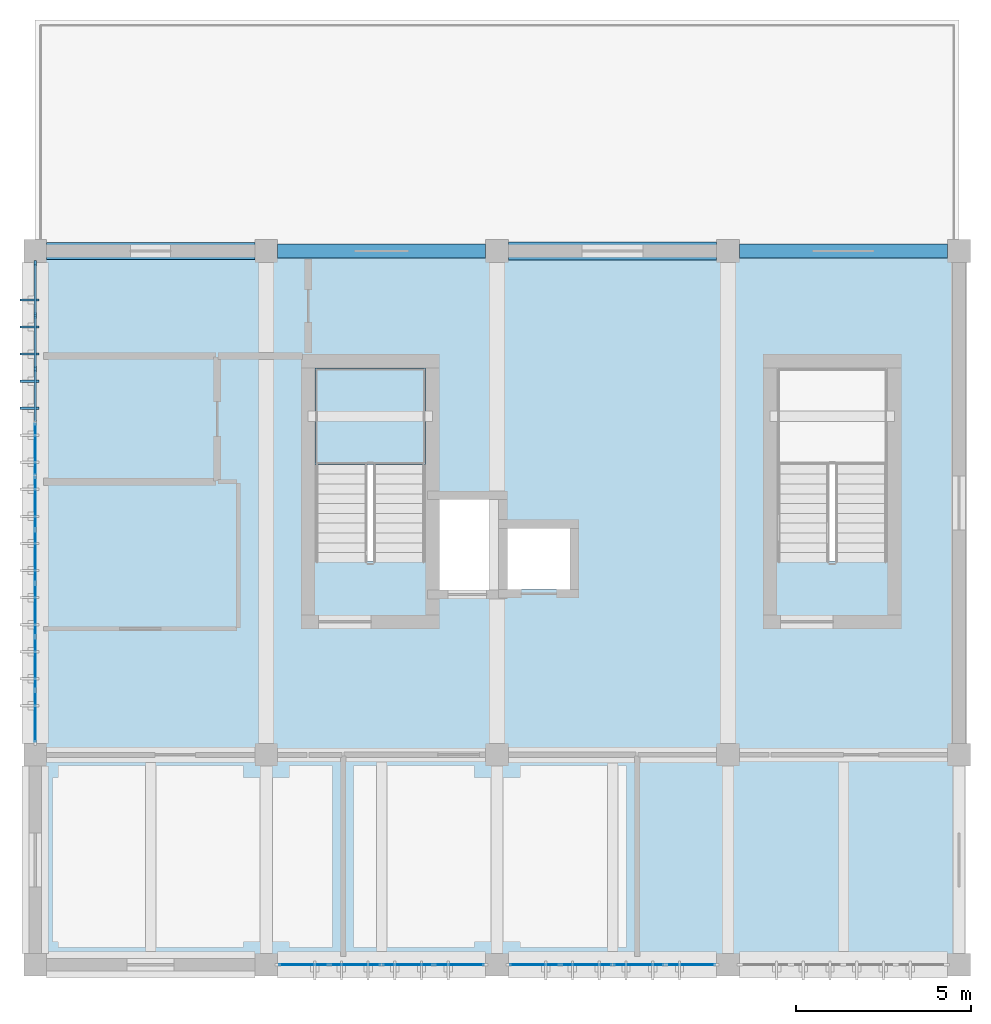
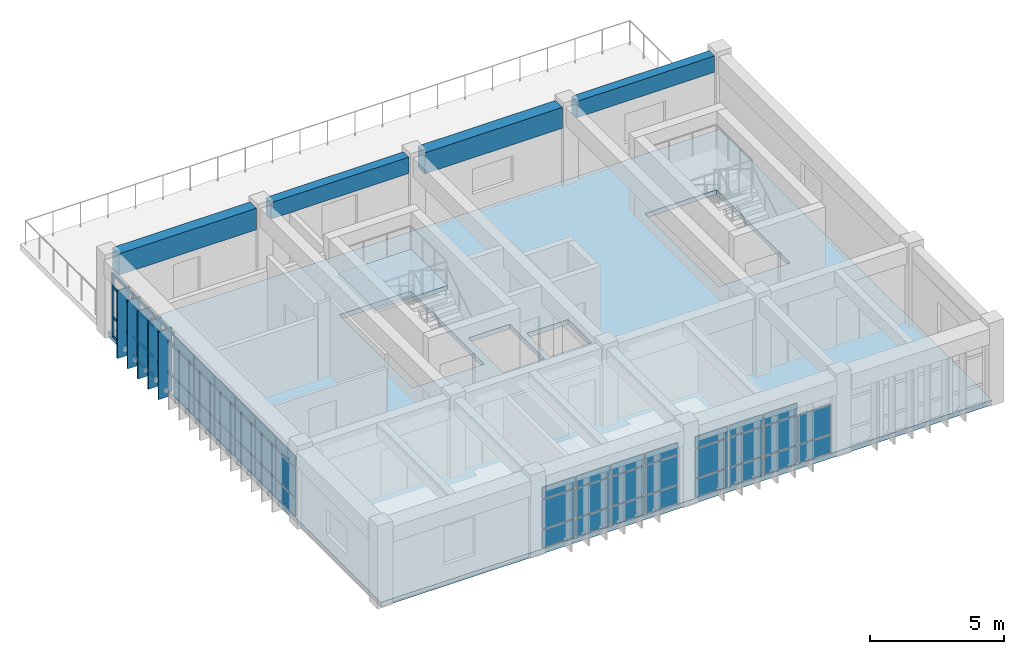
# One storey, part 3 of 8: 41 plates, 19 members, 4 beams, 2 slabs, 4 elements without a shape of their own.
"""IFC4 building model written with IfcOpenShell, lengths in metres."""

from ifc_helpers import new_model, si_unit, direction, frame, origin, origin_2d, place, context, subcontext, project, spatial, polyline, rectangle, outline, extrude, material, layer, layer_set, material_profile, profile_set, type_object, element, aggregate, save


model = new_model("IFC4")

# Units and contexts
model_context = context("Model", 3, precision=1e-05, world=origin(), true_north=direction((0.0, 1.0)))
body_context = subcontext(model_context, "Body", "Model", "MODEL_VIEW")
ifc_project = project(units=[si_unit("LENGTHUNIT", "METRE"), si_unit("AREAUNIT", "SQUARE_METRE"), si_unit("VOLUMEUNIT", "CUBIC_METRE"), si_unit("PLANEANGLEUNIT", "RADIAN"), si_unit("MASSUNIT", "GRAM", prefix="KILO")], contexts=[model_context])

# Site, building, storey
site_placement = place(None, origin())
site = spatial("IfcSite", under=ifc_project, at=site_placement, CompositionType="ELEMENT")
building_placement = place(site_placement, origin())
building = spatial("IfcBuilding", under=site, at=building_placement, Name="Miralva Faculty of Natural Sciences", CompositionType="ELEMENT")
storey_placement = place(building_placement, frame((0.0, 0.0, 36.800048828125)))
storey = spatial("IfcBuildingStorey", under=building, at=storey_placement, Name="L08", CompositionType="ELEMENT", Elevation=36.800048828125)

# Beams
ifc_material_1 = material(Name="Concrete C40/50", Category="concrete")
ifc_material_profile_1 = material_profile(ifc_material_1, rectangle(XDim=0.39990234375, YDim=0.75, at=origin_2d()), Name="RC 400x750")
ifc_profile_set_1 = profile_set([ifc_material_profile_1], Name="Concrete C40/50")
beam_type_1 = type_object("IfcBeamType", Name="BM-B03", PredefinedType="BEAM", material=ifc_profile_set_1)
for number, where, z_axis, x_axis, name in (
    (1, (9.925048828125, 23.39990234375, 3.204833984375), (1.0, 0.0, 0.0), (0.0, 1.0, 0.0), "Girder EW L08-10"),
    (2, (23.125, 23.39990234375, 3.204833984375), (1.0, 0.0, 0.0), (0.0, 1.0, 0.0), "Girder EW L08-12"),
):
    element("IfcBeam", number, at=place(storey_placement, frame(where, z_axis=z_axis, x_axis=x_axis)), inside=storey, type_object=beam_type_1, Name=name, PredefinedType="BEAM", context=body_context, shape_type="SweptSolid", body=[
        extrude(rectangle(XDim=0.39990234375, YDim=0.75, at=origin_2d()), origin(), (0.0, 0.0, 1.0), 5.949951171875),
    ])
ifc_material_profile_2 = material_profile(ifc_material_1, rectangle(XDim=0.47998046875, YDim=0.97998046875, at=origin_2d()), Name="RC 480x980")
ifc_profile_set_2 = profile_set([ifc_material_profile_2], Name="Concrete C40/50")
beam_type_2 = type_object("IfcBeamType", Name="BM-BG18", PredefinedType="BEAM", material=ifc_profile_set_2)
beam_1_placement = place(storey_placement, frame((3.324951171875, 23.39990234375, 3.08984375), z_axis=(1.0, 0.0, 0.0), x_axis=(0.0, 1.0, 0.0)))
element("IfcBeam", 3, at=beam_1_placement, inside=storey, type_object=beam_type_2, Name="Girder EW L08-9", PredefinedType="BEAM", context=body_context, shape_type="SweptSolid", body=[
    extrude(rectangle(XDim=0.47998046875, YDim=0.97998046875, at=origin_2d()), origin(), (0.0, 0.0, 1.0), 5.949951171875),
])
ifc_material_profile_3 = material_profile(ifc_material_1, rectangle(XDim=0.52001953125, YDim=0.9599609375, at=origin_2d()), Name="RC 520x960")
ifc_profile_set_3 = profile_set([ifc_material_profile_3], Name="Concrete C40/50")
beam_type_3 = type_object("IfcBeamType", Name="BM-BG20", PredefinedType="BEAM", material=ifc_profile_set_3)
beam_2_placement = place(storey_placement, frame((16.52490234375, 23.39990234375, 3.099853515625), z_axis=(1.0, 0.0, 0.0), x_axis=(0.0, 1.0, 0.0)))
element("IfcBeam", 4, at=beam_2_placement, inside=storey, type_object=beam_type_3, Name="Girder EW L08-11", PredefinedType="BEAM", context=body_context, shape_type="SweptSolid", body=[
    extrude(rectangle(XDim=0.52001953125, YDim=0.9599609375, at=origin_2d()), origin(), (0.0, 0.0, 1.0), 5.9501953125),
])

# Curtain wall, members
ifc_material_2 = material(Name="Laminated solar-control glass", Category="glass")
ifc_layer_1 = layer(ifc_material_2, 0.179931640625, Name="CW-TWR-L07")
ifc_layer_set_1 = layer_set([ifc_layer_1], Name="Laminated solar-control glass")
curtain_wall_type = type_object("IfcCurtainWallType", Name="CW-TWR-L07", PredefinedType="USERDEFINED", material=ifc_layer_set_1)
curtain_wall_1_placement = place(storey_placement, origin())
curtain_wall_1 = element("IfcCurtainWall", 5, at=curtain_wall_1_placement, inside=storey, type_object=curtain_wall_type, Name="Curtain wall CW-15 L08-250", ObjectType="UNITISED CURTAIN WALL", PredefinedType="USERDEFINED")
ifc_material_3 = material(Name="Anodised aluminium", Category="aluminium")
ifc_material_profile_4 = material_profile(ifc_material_3, rectangle(XDim=0.06494140625, YDim=0.159912109375, at=origin_2d()), Name="MULLION 65x160")
ifc_profile_set_4 = profile_set([ifc_material_profile_4], Name="Anodised aluminium")
member_type_1 = type_object("IfcMemberType", Name="CW-M02", PredefinedType="MULLION", material=ifc_profile_set_4)
member_1_placement = place(storey_placement, frame((3.0, 20.02490234375, 0.0), z_axis=(0.0, 0.0, 1.0), x_axis=(-1.0, 0.0, 0.0)))
member_1 = element("IfcMember", 6, at=member_1_placement, type_object=member_type_1, Name="CW-15 mullion 8", PredefinedType="MULLION", context=body_context, shape_type="SweptSolid", body=[
    extrude(rectangle(XDim=0.06494140625, YDim=0.159912109375, at=origin_2d()), origin(), (0.0, 0.0, 1.0), 2.875),
])
member_2_placement = place(storey_placement, frame((3.0, 21.554931640625, 0.0), z_axis=(0.0, 0.0, 1.0), x_axis=(-1.0, 0.0, 0.0)))
member_2 = element("IfcMember", 7, at=member_2_placement, type_object=member_type_1, Name="CW-15 mullion 9", PredefinedType="MULLION", context=body_context, shape_type="SweptSolid", body=[
    extrude(rectangle(XDim=0.06494140625, YDim=0.159912109375, at=origin_2d()), origin(), (0.0, 0.0, 1.0), 2.875),
])
member_3_placement = place(storey_placement, frame((3.0, 23.052490234375, 0.0), z_axis=(0.0, 0.0, 1.0), x_axis=(-1.0, 0.0, 0.0)))
member_3 = element("IfcMember", 8, at=member_3_placement, type_object=member_type_1, Name="CW-15 mullion 10", PredefinedType="MULLION", context=body_context, shape_type="SweptSolid", body=[
    extrude(rectangle(XDim=0.06494140625, YDim=0.159912109375, at=origin_2d()), origin(), (0.0, 0.0, 1.0), 2.875),
])
ifc_material_profile_5 = material_profile(ifc_material_3, rectangle(XDim=0.06005859375, YDim=0.1201171875, at=origin_2d()), Name="TRANSOM 60x120")
ifc_profile_set_5 = profile_set([ifc_material_profile_5], Name="Anodised aluminium")
member_type_2 = type_object("IfcMemberType", Name="CW-T02", PredefinedType="USERDEFINED", material=ifc_profile_set_5)
member_4_placement = place(storey_placement, frame((3.0, 18.527587890625, 0.89990234375), z_axis=(0.0, 1.0, 0.0), x_axis=(-1.0, 0.0, 0.0)))
member_4 = element("IfcMember", 9, at=member_4_placement, type_object=member_type_2, Name="CW-15 transom 7.2", ObjectType="TRANSOM", PredefinedType="USERDEFINED", context=body_context, shape_type="SweptSolid", body=[
    extrude(rectangle(XDim=0.06005859375, YDim=0.1201171875, at=origin_2d()), origin(), (0.0, 0.0, 1.0), 1.46484375),
])
member_5_placement = place(storey_placement, frame((3.0, 18.527587890625, 2.27490234375), z_axis=(0.0, 1.0, 0.0), x_axis=(-1.0, 0.0, 0.0)))
member_5 = element("IfcMember", 10, at=member_5_placement, type_object=member_type_2, Name="CW-15 transom 7.3", ObjectType="TRANSOM", PredefinedType="USERDEFINED", context=body_context, shape_type="SweptSolid", body=[
    extrude(rectangle(XDim=0.06005859375, YDim=0.1201171875, at=origin_2d()), origin(), (0.0, 0.0, 1.0), 1.46484375),
])
member_6_placement = place(storey_placement, frame((3.0, 18.527587890625, 2.844970703125), z_axis=(0.0, 1.0, 0.0), x_axis=(-1.0, 0.0, 0.0)))
member_6 = element("IfcMember", 11, at=member_6_placement, type_object=member_type_2, Name="CW-15 transom 7.4", ObjectType="TRANSOM", PredefinedType="USERDEFINED", context=body_context, shape_type="SweptSolid", body=[
    extrude(rectangle(XDim=0.06005859375, YDim=0.1201171875, at=origin_2d()), origin(), (0.0, 0.0, 1.0), 1.46484375),
])
member_7_placement = place(storey_placement, frame((3.0, 20.0576171875, 0.030029296875), z_axis=(0.0, 1.0, 0.0), x_axis=(-1.0, 0.0, 0.0)))
member_7 = element("IfcMember", 12, at=member_7_placement, type_object=member_type_2, Name="CW-15 transom 8.1", ObjectType="TRANSOM", PredefinedType="USERDEFINED", context=body_context, shape_type="SweptSolid", body=[
    extrude(rectangle(XDim=0.06005859375, YDim=0.1201171875, at=origin_2d()), origin(), (0.0, 0.0, 1.0), 1.46484375),
])
member_8_placement = place(storey_placement, frame((3.0, 20.0576171875, 0.89990234375), z_axis=(0.0, 1.0, 0.0), x_axis=(-1.0, 0.0, 0.0)))
member_8 = element("IfcMember", 13, at=member_8_placement, type_object=member_type_2, Name="CW-15 transom 8.2", ObjectType="TRANSOM", PredefinedType="USERDEFINED", context=body_context, shape_type="SweptSolid", body=[
    extrude(rectangle(XDim=0.06005859375, YDim=0.1201171875, at=origin_2d()), origin(), (0.0, 0.0, 1.0), 1.46484375),
])
member_9_placement = place(storey_placement, frame((3.0, 20.0576171875, 2.27490234375), z_axis=(0.0, 1.0, 0.0), x_axis=(-1.0, 0.0, 0.0)))
member_9 = element("IfcMember", 14, at=member_9_placement, type_object=member_type_2, Name="CW-15 transom 8.3", ObjectType="TRANSOM", PredefinedType="USERDEFINED", context=body_context, shape_type="SweptSolid", body=[
    extrude(rectangle(XDim=0.06005859375, YDim=0.1201171875, at=origin_2d()), origin(), (0.0, 0.0, 1.0), 1.46484375),
])
member_10_placement = place(storey_placement, frame((3.0, 20.0576171875, 2.844970703125), z_axis=(0.0, 1.0, 0.0), x_axis=(-1.0, 0.0, 0.0)))
member_10 = element("IfcMember", 15, at=member_10_placement, type_object=member_type_2, Name="CW-15 transom 8.4", ObjectType="TRANSOM", PredefinedType="USERDEFINED", context=body_context, shape_type="SweptSolid", body=[
    extrude(rectangle(XDim=0.06005859375, YDim=0.1201171875, at=origin_2d()), origin(), (0.0, 0.0, 1.0), 1.46484375),
])
member_11_placement = place(storey_placement, frame((3.0, 21.58740234375, 0.030029296875), z_axis=(0.0, 1.0, 0.0), x_axis=(-1.0, 0.0, 0.0)))
member_11 = element("IfcMember", 16, at=member_11_placement, type_object=member_type_2, Name="CW-15 transom 9.1", ObjectType="TRANSOM", PredefinedType="USERDEFINED", context=body_context, shape_type="SweptSolid", body=[
    extrude(rectangle(XDim=0.06005859375, YDim=0.1201171875, at=origin_2d()), origin(), (0.0, 0.0, 1.0), 1.4326171875),
])
member_12_placement = place(storey_placement, frame((3.0, 21.58740234375, 0.89990234375), z_axis=(0.0, 1.0, 0.0), x_axis=(-1.0, 0.0, 0.0)))
member_12 = element("IfcMember", 17, at=member_12_placement, type_object=member_type_2, Name="CW-15 transom 9.2", ObjectType="TRANSOM", PredefinedType="USERDEFINED", context=body_context, shape_type="SweptSolid", body=[
    extrude(rectangle(XDim=0.06005859375, YDim=0.1201171875, at=origin_2d()), origin(), (0.0, 0.0, 1.0), 1.4326171875),
])
member_13_placement = place(storey_placement, frame((3.0, 21.58740234375, 2.27490234375), z_axis=(0.0, 1.0, 0.0), x_axis=(-1.0, 0.0, 0.0)))
member_13 = element("IfcMember", 18, at=member_13_placement, type_object=member_type_2, Name="CW-15 transom 9.3", ObjectType="TRANSOM", PredefinedType="USERDEFINED", context=body_context, shape_type="SweptSolid", body=[
    extrude(rectangle(XDim=0.06005859375, YDim=0.1201171875, at=origin_2d()), origin(), (0.0, 0.0, 1.0), 1.4326171875),
])
member_14_placement = place(storey_placement, frame((3.0, 21.58740234375, 2.844970703125), z_axis=(0.0, 1.0, 0.0), x_axis=(-1.0, 0.0, 0.0)))
member_14 = element("IfcMember", 19, at=member_14_placement, type_object=member_type_2, Name="CW-15 transom 9.4", ObjectType="TRANSOM", PredefinedType="USERDEFINED", context=body_context, shape_type="SweptSolid", body=[
    extrude(rectangle(XDim=0.06005859375, YDim=0.1201171875, at=origin_2d()), origin(), (0.0, 0.0, 1.0), 1.4326171875),
])

# Members
ifc_material_profile_6 = material_profile(ifc_material_3, rectangle(XDim=0.06494140625, YDim=0.550048828125, at=origin_2d()), Name="FIN 550x65")
ifc_profile_set_6 = profile_set([ifc_material_profile_6], Name="Anodised aluminium")
member_type_3 = type_object("IfcMemberType", Name="MEM-SF03", PredefinedType="USERDEFINED", material=ifc_profile_set_6)
for number, where, z_axis, x_axis, name in (
    (20, (2.840087890625, 18.906005859375, -0.219970703125), (0.0, 0.0, 1.0), (0.0, -1.0, 0.0), "Solar shading fin SF-03 L08-463"),
    (21, (2.840087890625, 19.67919921875, -0.219970703125), (0.0, 0.0, 1.0), (0.0, -1.0, 0.0), "Solar shading fin SF-03 L08-464"),
    (22, (2.840087890625, 20.4521484375, -0.219970703125), (0.0, 0.0, 1.0), (0.0, -1.0, 0.0), "Solar shading fin SF-03 L08-465"),
    (23, (2.840087890625, 21.225341796875, -0.219970703125), (0.0, 0.0, 1.0), (0.0, -1.0, 0.0), "Solar shading fin SF-03 L08-466"),
    (24, (2.840087890625, 21.998291015625, -0.219970703125), (0.0, 0.0, 1.0), (0.0, -1.0, 0.0), "Solar shading fin SF-03 L08-467"),
):
    element("IfcMember", number, at=place(storey_placement, frame(where, z_axis=z_axis, x_axis=x_axis)), inside=storey, type_object=member_type_3, Name=name, ObjectType="SUNSHADE", PredefinedType="USERDEFINED", context=body_context, shape_type="SweptSolid", body=[
        extrude(rectangle(XDim=0.06494140625, YDim=0.550048828125, at=origin_2d()), origin(), (0.0, 0.0, 1.0), 3.094970703125),
    ])

# Curtain wall, plates
curtain_wall_2_placement = place(storey_placement, origin())
curtain_wall_2 = element("IfcCurtainWall", 25, at=curtain_wall_2_placement, inside=storey, type_object=curtain_wall_type, Name="Curtain wall CW-15 L08-247", ObjectType="UNITISED CURTAIN WALL", PredefinedType="USERDEFINED")
ifc_layer_2 = layer(ifc_material_2, 0.028076171875, Name="PNL-P01")
ifc_layer_set_2 = layer_set([ifc_layer_2], Name="Laminated solar-control glass")
plate_type = type_object("IfcPlateType", Name="PNL-P01", PredefinedType="CURTAIN_PANEL", material=ifc_layer_set_2)
plate_1_placement = place(storey_placement, frame((10.668701171875, 3.0, 0.059814453125), z_axis=(0.0, 0.0, 1.0), x_axis=(1.0, 0.0, 0.0)))
plate_1 = element("IfcPlate", 26, at=plate_1_placement, type_object=plate_type, Name="CW-15 panel 1.1", PredefinedType="CURTAIN_PANEL", context=body_context, shape_type="SweptSolid", body=[
    extrude(rectangle(XDim=1.3974609375, YDim=0.028076171875, at=origin_2d()), origin(), (0.0, 0.0, 1.0), 0.81005859375),
])
plate_2_placement = place(storey_placement, frame((10.668701171875, 3.0, 0.929931640625), z_axis=(0.0, 0.0, 1.0), x_axis=(1.0, 0.0, 0.0)))
plate_2 = element("IfcPlate", 27, at=plate_2_placement, type_object=plate_type, Name="CW-15 panel 1.2", PredefinedType="CURTAIN_PANEL", context=body_context, shape_type="SweptSolid", body=[
    extrude(rectangle(XDim=1.3974609375, YDim=0.028076171875, at=origin_2d()), origin(), (0.0, 0.0, 1.0), 1.31494140625),
])
plate_3_placement = place(storey_placement, frame((10.668701171875, 3.0, 2.30517578125), z_axis=(0.0, 0.0, 1.0), x_axis=(1.0, 0.0, 0.0)))
plate_3 = element("IfcPlate", 28, at=plate_3_placement, type_object=plate_type, Name="CW-15 panel 1.3", PredefinedType="CURTAIN_PANEL", context=body_context, shape_type="SweptSolid", body=[
    extrude(rectangle(XDim=1.3974609375, YDim=0.028076171875, at=origin_2d()), origin(), (0.0, 0.0, 1.0), 0.510009765625),
])
plate_4_placement = place(storey_placement, frame((12.1474609375, 3.0, 0.059814453125), z_axis=(0.0, 0.0, 1.0), x_axis=(1.0, 0.0, 0.0)))
plate_4 = element("IfcPlate", 29, at=plate_4_placement, type_object=plate_type, Name="CW-15 panel 2.1", PredefinedType="CURTAIN_PANEL", context=body_context, shape_type="SweptSolid", body=[
    extrude(rectangle(XDim=1.429931640625, YDim=0.028076171875, at=origin_2d()), origin(), (0.0, 0.0, 1.0), 0.81005859375),
])
plate_5_placement = place(storey_placement, frame((12.1474609375, 3.0, 0.929931640625), z_axis=(0.0, 0.0, 1.0), x_axis=(1.0, 0.0, 0.0)))
plate_5 = element("IfcPlate", 30, at=plate_5_placement, type_object=plate_type, Name="CW-15 panel 2.2", PredefinedType="CURTAIN_PANEL", context=body_context, shape_type="SweptSolid", body=[
    extrude(rectangle(XDim=1.429931640625, YDim=0.028076171875, at=origin_2d()), origin(), (0.0, 0.0, 1.0), 1.31494140625),
])
plate_6_placement = place(storey_placement, frame((12.1474609375, 3.0, 2.30517578125), z_axis=(0.0, 0.0, 1.0), x_axis=(1.0, 0.0, 0.0)))
plate_6 = element("IfcPlate", 31, at=plate_6_placement, type_object=plate_type, Name="CW-15 panel 2.3", PredefinedType="CURTAIN_PANEL", context=body_context, shape_type="SweptSolid", body=[
    extrude(rectangle(XDim=1.429931640625, YDim=0.028076171875, at=origin_2d()), origin(), (0.0, 0.0, 1.0), 0.510009765625),
])
plate_7_placement = place(storey_placement, frame((13.642578125, 3.0, 0.059814453125), z_axis=(0.0, 0.0, 1.0), x_axis=(1.0, 0.0, 0.0)))
plate_7 = element("IfcPlate", 32, at=plate_7_placement, type_object=plate_type, Name="CW-15 panel 3.1", PredefinedType="CURTAIN_PANEL", context=body_context, shape_type="SweptSolid", body=[
    extrude(rectangle(XDim=1.429931640625, YDim=0.028076171875, at=origin_2d()), origin(), (0.0, 0.0, 1.0), 0.81005859375),
])
plate_8_placement = place(storey_placement, frame((13.642578125, 3.0, 0.929931640625), z_axis=(0.0, 0.0, 1.0), x_axis=(1.0, 0.0, 0.0)))
plate_8 = element("IfcPlate", 33, at=plate_8_placement, type_object=plate_type, Name="CW-15 panel 3.2", PredefinedType="CURTAIN_PANEL", context=body_context, shape_type="SweptSolid", body=[
    extrude(rectangle(XDim=1.429931640625, YDim=0.028076171875, at=origin_2d()), origin(), (0.0, 0.0, 1.0), 1.31494140625),
])
plate_9_placement = place(storey_placement, frame((13.642578125, 3.0, 2.30517578125), z_axis=(0.0, 0.0, 1.0), x_axis=(1.0, 0.0, 0.0)))
plate_9 = element("IfcPlate", 34, at=plate_9_placement, type_object=plate_type, Name="CW-15 panel 3.3", PredefinedType="CURTAIN_PANEL", context=body_context, shape_type="SweptSolid", body=[
    extrude(rectangle(XDim=1.429931640625, YDim=0.028076171875, at=origin_2d()), origin(), (0.0, 0.0, 1.0), 0.510009765625),
])
plate_10_placement = place(storey_placement, frame((15.121337890625, 3.0, 0.059814453125), z_axis=(0.0, 0.0, 1.0), x_axis=(1.0, 0.0, 0.0)))
plate_10 = element("IfcPlate", 35, at=plate_10_placement, type_object=plate_type, Name="CW-15 panel 4.1", PredefinedType="CURTAIN_PANEL", context=body_context, shape_type="SweptSolid", body=[
    extrude(rectangle(XDim=1.3974609375, YDim=0.028076171875, at=origin_2d()), origin(), (0.0, 0.0, 1.0), 0.81005859375),
])
plate_11_placement = place(storey_placement, frame((15.121337890625, 3.0, 0.929931640625), z_axis=(0.0, 0.0, 1.0), x_axis=(1.0, 0.0, 0.0)))
plate_11 = element("IfcPlate", 36, at=plate_11_placement, type_object=plate_type, Name="CW-15 panel 4.2", PredefinedType="CURTAIN_PANEL", context=body_context, shape_type="SweptSolid", body=[
    extrude(rectangle(XDim=1.3974609375, YDim=0.028076171875, at=origin_2d()), origin(), (0.0, 0.0, 1.0), 1.31494140625),
])
plate_12_placement = place(storey_placement, frame((15.121337890625, 3.0, 2.30517578125), z_axis=(0.0, 0.0, 1.0), x_axis=(1.0, 0.0, 0.0)))
plate_12 = element("IfcPlate", 37, at=plate_12_placement, type_object=plate_type, Name="CW-15 panel 4.3", PredefinedType="CURTAIN_PANEL", context=body_context, shape_type="SweptSolid", body=[
    extrude(rectangle(XDim=1.3974609375, YDim=0.028076171875, at=origin_2d()), origin(), (0.0, 0.0, 1.0), 0.510009765625),
])
aggregate(curtain_wall_2, [plate_1, plate_2, plate_3, plate_4, plate_5, plate_6, plate_7, plate_8, plate_9, plate_10, plate_11, plate_12])

curtain_wall_3_placement = place(storey_placement, origin())
curtain_wall_3 = element("IfcCurtainWall", 38, at=curtain_wall_3_placement, inside=storey, type_object=curtain_wall_type, Name="Curtain wall CW-15 L08-248", ObjectType="UNITISED CURTAIN WALL", PredefinedType="USERDEFINED")
plate_13_placement = place(storey_placement, frame((17.27001953125, 3.0, 0.059814453125), z_axis=(0.0, 0.0, 1.0), x_axis=(1.0, 0.0, 0.0)))
plate_13 = element("IfcPlate", 39, at=plate_13_placement, type_object=plate_type, Name="CW-15 panel 1.1", PredefinedType="CURTAIN_PANEL", context=body_context, shape_type="SweptSolid", body=[
    extrude(rectangle(XDim=1.39990234375, YDim=0.028076171875, at=origin_2d()), origin(), (0.0, 0.0, 1.0), 0.81005859375),
])
plate_14_placement = place(storey_placement, frame((17.27001953125, 3.0, 0.929931640625), z_axis=(0.0, 0.0, 1.0), x_axis=(1.0, 0.0, 0.0)))
plate_14 = element("IfcPlate", 40, at=plate_14_placement, type_object=plate_type, Name="CW-15 panel 1.2", PredefinedType="CURTAIN_PANEL", context=body_context, shape_type="SweptSolid", body=[
    extrude(rectangle(XDim=1.39990234375, YDim=0.028076171875, at=origin_2d()), origin(), (0.0, 0.0, 1.0), 1.31494140625),
])
plate_15_placement = place(storey_placement, frame((17.27001953125, 3.0, 2.30517578125), z_axis=(0.0, 0.0, 1.0), x_axis=(1.0, 0.0, 0.0)))
plate_15 = element("IfcPlate", 41, at=plate_15_placement, type_object=plate_type, Name="CW-15 panel 1.3", PredefinedType="CURTAIN_PANEL", context=body_context, shape_type="SweptSolid", body=[
    extrude(rectangle(XDim=1.39990234375, YDim=0.028076171875, at=origin_2d()), origin(), (0.0, 0.0, 1.0), 0.510009765625),
])
plate_16_placement = place(storey_placement, frame((18.751220703125, 3.0, 0.059814453125), z_axis=(0.0, 0.0, 1.0), x_axis=(1.0, 0.0, 0.0)))
plate_16 = element("IfcPlate", 42, at=plate_16_placement, type_object=plate_type, Name="CW-15 panel 2.1", PredefinedType="CURTAIN_PANEL", context=body_context, shape_type="SweptSolid", body=[
    extrude(rectangle(XDim=1.4326171875, YDim=0.028076171875, at=origin_2d()), origin(), (0.0, 0.0, 1.0), 0.81005859375),
])
plate_17_placement = place(storey_placement, frame((18.751220703125, 3.0, 0.929931640625), z_axis=(0.0, 0.0, 1.0), x_axis=(1.0, 0.0, 0.0)))
plate_17 = element("IfcPlate", 43, at=plate_17_placement, type_object=plate_type, Name="CW-15 panel 2.2", PredefinedType="CURTAIN_PANEL", context=body_context, shape_type="SweptSolid", body=[
    extrude(rectangle(XDim=1.4326171875, YDim=0.028076171875, at=origin_2d()), origin(), (0.0, 0.0, 1.0), 1.31494140625),
])
plate_18_placement = place(storey_placement, frame((18.751220703125, 3.0, 2.30517578125), z_axis=(0.0, 0.0, 1.0), x_axis=(1.0, 0.0, 0.0)))
plate_18 = element("IfcPlate", 44, at=plate_18_placement, type_object=plate_type, Name="CW-15 panel 2.3", PredefinedType="CURTAIN_PANEL", context=body_context, shape_type="SweptSolid", body=[
    extrude(rectangle(XDim=1.4326171875, YDim=0.028076171875, at=origin_2d()), origin(), (0.0, 0.0, 1.0), 0.510009765625),
])
plate_19_placement = place(storey_placement, frame((20.248779296875, 3.0, 0.059814453125), z_axis=(0.0, 0.0, 1.0), x_axis=(1.0, 0.0, 0.0)))
plate_19 = element("IfcPlate", 45, at=plate_19_placement, type_object=plate_type, Name="CW-15 panel 3.1", PredefinedType="CURTAIN_PANEL", context=body_context, shape_type="SweptSolid", body=[
    extrude(rectangle(XDim=1.4326171875, YDim=0.028076171875, at=origin_2d()), origin(), (0.0, 0.0, 1.0), 0.81005859375),
])
plate_20_placement = place(storey_placement, frame((20.248779296875, 3.0, 0.929931640625), z_axis=(0.0, 0.0, 1.0), x_axis=(1.0, 0.0, 0.0)))
plate_20 = element("IfcPlate", 46, at=plate_20_placement, type_object=plate_type, Name="CW-15 panel 3.2", PredefinedType="CURTAIN_PANEL", context=body_context, shape_type="SweptSolid", body=[
    extrude(rectangle(XDim=1.4326171875, YDim=0.028076171875, at=origin_2d()), origin(), (0.0, 0.0, 1.0), 1.31494140625),
])
plate_21_placement = place(storey_placement, frame((20.248779296875, 3.0, 2.30517578125), z_axis=(0.0, 0.0, 1.0), x_axis=(1.0, 0.0, 0.0)))
plate_21 = element("IfcPlate", 47, at=plate_21_placement, type_object=plate_type, Name="CW-15 panel 3.3", PredefinedType="CURTAIN_PANEL", context=body_context, shape_type="SweptSolid", body=[
    extrude(rectangle(XDim=1.4326171875, YDim=0.028076171875, at=origin_2d()), origin(), (0.0, 0.0, 1.0), 0.510009765625),
])
plate_22_placement = place(storey_placement, frame((21.72998046875, 3.0, 0.059814453125), z_axis=(0.0, 0.0, 1.0), x_axis=(1.0, 0.0, 0.0)))
plate_22 = element("IfcPlate", 48, at=plate_22_placement, type_object=plate_type, Name="CW-15 panel 4.1", PredefinedType="CURTAIN_PANEL", context=body_context, shape_type="SweptSolid", body=[
    extrude(rectangle(XDim=1.39990234375, YDim=0.028076171875, at=origin_2d()), origin(), (0.0, 0.0, 1.0), 0.81005859375),
])
plate_23_placement = place(storey_placement, frame((21.72998046875, 3.0, 0.929931640625), z_axis=(0.0, 0.0, 1.0), x_axis=(1.0, 0.0, 0.0)))
plate_23 = element("IfcPlate", 49, at=plate_23_placement, type_object=plate_type, Name="CW-15 panel 4.2", PredefinedType="CURTAIN_PANEL", context=body_context, shape_type="SweptSolid", body=[
    extrude(rectangle(XDim=1.39990234375, YDim=0.028076171875, at=origin_2d()), origin(), (0.0, 0.0, 1.0), 1.31494140625),
])
aggregate(curtain_wall_3, [plate_13, plate_14, plate_15, plate_16, plate_17, plate_18, plate_19, plate_20, plate_21, plate_22, plate_23])

# Plate
plate_24_placement = place(storey_placement, frame((3.0, 10.09619140625, 0.059814453125), z_axis=(0.0, 0.0, 1.0), x_axis=(0.0, 1.0, 0.0)))
plate_24 = element("IfcPlate", 50, at=plate_24_placement, type_object=plate_type, Name="CW-15 panel 1.1", PredefinedType="CURTAIN_PANEL", context=body_context, shape_type="SweptSolid", body=[
    extrude(rectangle(XDim=1.4326171875, YDim=0.028076171875, at=origin_2d()), origin(), (0.0, 0.0, 1.0), 0.81005859375),
])

plate_25_placement = place(storey_placement, frame((3.0, 10.09619140625, 0.929931640625), z_axis=(0.0, 0.0, 1.0), x_axis=(0.0, 1.0, 0.0)))
plate_25 = element("IfcPlate", 51, at=plate_25_placement, type_object=plate_type, Name="CW-15 panel 1.2", PredefinedType="CURTAIN_PANEL", context=body_context, shape_type="SweptSolid", body=[
    extrude(rectangle(XDim=1.4326171875, YDim=0.028076171875, at=origin_2d()), origin(), (0.0, 0.0, 1.0), 1.31494140625),
])

plate_26_placement = place(storey_placement, frame((3.0, 10.09619140625, 2.30517578125), z_axis=(0.0, 0.0, 1.0), x_axis=(0.0, 1.0, 0.0)))
plate_26 = element("IfcPlate", 52, at=plate_26_placement, type_object=plate_type, Name="CW-15 panel 1.3", PredefinedType="CURTAIN_PANEL", context=body_context, shape_type="SweptSolid", body=[
    extrude(rectangle(XDim=1.4326171875, YDim=0.028076171875, at=origin_2d()), origin(), (0.0, 0.0, 1.0), 0.510009765625),
])

plate_27_placement = place(storey_placement, frame((3.0, 11.610107421875, 0.059814453125), z_axis=(0.0, 0.0, 1.0), x_axis=(0.0, 1.0, 0.0)))
plate_27 = element("IfcPlate", 53, at=plate_27_placement, type_object=plate_type, Name="CW-15 panel 2.1", PredefinedType="CURTAIN_PANEL", context=body_context, shape_type="SweptSolid", body=[
    extrude(rectangle(XDim=1.465087890625, YDim=0.028076171875, at=origin_2d()), origin(), (0.0, 0.0, 1.0), 0.81005859375),
])

plate_28_placement = place(storey_placement, frame((3.0, 11.610107421875, 0.929931640625), z_axis=(0.0, 0.0, 1.0), x_axis=(0.0, 1.0, 0.0)))
plate_28 = element("IfcPlate", 54, at=plate_28_placement, type_object=plate_type, Name="CW-15 panel 2.2", PredefinedType="CURTAIN_PANEL", context=body_context, shape_type="SweptSolid", body=[
    extrude(rectangle(XDim=1.465087890625, YDim=0.028076171875, at=origin_2d()), origin(), (0.0, 0.0, 1.0), 1.31494140625),
])

plate_29_placement = place(storey_placement, frame((3.0, 11.610107421875, 2.30517578125), z_axis=(0.0, 0.0, 1.0), x_axis=(0.0, 1.0, 0.0)))
plate_29 = element("IfcPlate", 55, at=plate_29_placement, type_object=plate_type, Name="CW-15 panel 2.3", PredefinedType="CURTAIN_PANEL", context=body_context, shape_type="SweptSolid", body=[
    extrude(rectangle(XDim=1.465087890625, YDim=0.028076171875, at=origin_2d()), origin(), (0.0, 0.0, 1.0), 0.510009765625),
])

plate_30_placement = place(storey_placement, frame((3.0, 13.139892578125, 0.059814453125), z_axis=(0.0, 0.0, 1.0), x_axis=(0.0, 1.0, 0.0)))
plate_30 = element("IfcPlate", 56, at=plate_30_placement, type_object=plate_type, Name="CW-15 panel 3.1", PredefinedType="CURTAIN_PANEL", context=body_context, shape_type="SweptSolid", body=[
    extrude(rectangle(XDim=1.465087890625, YDim=0.028076171875, at=origin_2d()), origin(), (0.0, 0.0, 1.0), 0.81005859375),
])

plate_31_placement = place(storey_placement, frame((3.0, 13.139892578125, 0.929931640625), z_axis=(0.0, 0.0, 1.0), x_axis=(0.0, 1.0, 0.0)))
plate_31 = element("IfcPlate", 57, at=plate_31_placement, type_object=plate_type, Name="CW-15 panel 3.2", PredefinedType="CURTAIN_PANEL", context=body_context, shape_type="SweptSolid", body=[
    extrude(rectangle(XDim=1.465087890625, YDim=0.028076171875, at=origin_2d()), origin(), (0.0, 0.0, 1.0), 1.31494140625),
])

plate_32_placement = place(storey_placement, frame((3.0, 13.139892578125, 2.30517578125), z_axis=(0.0, 0.0, 1.0), x_axis=(0.0, 1.0, 0.0)))
plate_32 = element("IfcPlate", 58, at=plate_32_placement, type_object=plate_type, Name="CW-15 panel 3.3", PredefinedType="CURTAIN_PANEL", context=body_context, shape_type="SweptSolid", body=[
    extrude(rectangle(XDim=1.465087890625, YDim=0.028076171875, at=origin_2d()), origin(), (0.0, 0.0, 1.0), 0.510009765625),
])

plate_33_placement = place(storey_placement, frame((3.0, 14.669921875, 0.059814453125), z_axis=(0.0, 0.0, 1.0), x_axis=(0.0, 1.0, 0.0)))
plate_33 = element("IfcPlate", 59, at=plate_33_placement, type_object=plate_type, Name="CW-15 panel 4.1", PredefinedType="CURTAIN_PANEL", context=body_context, shape_type="SweptSolid", body=[
    extrude(rectangle(XDim=1.465087890625, YDim=0.028076171875, at=origin_2d()), origin(), (0.0, 0.0, 1.0), 0.81005859375),
])

plate_34_placement = place(storey_placement, frame((3.0, 14.669921875, 0.929931640625), z_axis=(0.0, 0.0, 1.0), x_axis=(0.0, 1.0, 0.0)))
plate_34 = element("IfcPlate", 60, at=plate_34_placement, type_object=plate_type, Name="CW-15 panel 4.2", PredefinedType="CURTAIN_PANEL", context=body_context, shape_type="SweptSolid", body=[
    extrude(rectangle(XDim=1.465087890625, YDim=0.028076171875, at=origin_2d()), origin(), (0.0, 0.0, 1.0), 1.31494140625),
])

plate_35_placement = place(storey_placement, frame((3.0, 14.669921875, 2.30517578125), z_axis=(0.0, 0.0, 1.0), x_axis=(0.0, 1.0, 0.0)))
plate_35 = element("IfcPlate", 61, at=plate_35_placement, type_object=plate_type, Name="CW-15 panel 4.3", PredefinedType="CURTAIN_PANEL", context=body_context, shape_type="SweptSolid", body=[
    extrude(rectangle(XDim=1.465087890625, YDim=0.028076171875, at=origin_2d()), origin(), (0.0, 0.0, 1.0), 0.510009765625),
])

plate_36_placement = place(storey_placement, frame((3.0, 16.199951171875, 0.059814453125), z_axis=(0.0, 0.0, 1.0), x_axis=(0.0, 1.0, 0.0)))
plate_36 = element("IfcPlate", 62, at=plate_36_placement, type_object=plate_type, Name="CW-15 panel 5.1", PredefinedType="CURTAIN_PANEL", context=body_context, shape_type="SweptSolid", body=[
    extrude(rectangle(XDim=1.465087890625, YDim=0.028076171875, at=origin_2d()), origin(), (0.0, 0.0, 1.0), 0.81005859375),
])

plate_37_placement = place(storey_placement, frame((3.0, 16.199951171875, 0.929931640625), z_axis=(0.0, 0.0, 1.0), x_axis=(0.0, 1.0, 0.0)))
plate_37 = element("IfcPlate", 63, at=plate_37_placement, type_object=plate_type, Name="CW-15 panel 5.2", PredefinedType="CURTAIN_PANEL", context=body_context, shape_type="SweptSolid", body=[
    extrude(rectangle(XDim=1.465087890625, YDim=0.028076171875, at=origin_2d()), origin(), (0.0, 0.0, 1.0), 1.31494140625),
])

plate_38_placement = place(storey_placement, frame((3.0, 16.199951171875, 2.30517578125), z_axis=(0.0, 0.0, 1.0), x_axis=(0.0, 1.0, 0.0)))
plate_38 = element("IfcPlate", 64, at=plate_38_placement, type_object=plate_type, Name="CW-15 panel 5.3", PredefinedType="CURTAIN_PANEL", context=body_context, shape_type="SweptSolid", body=[
    extrude(rectangle(XDim=1.465087890625, YDim=0.028076171875, at=origin_2d()), origin(), (0.0, 0.0, 1.0), 0.510009765625),
])

plate_39_placement = place(storey_placement, frame((3.0, 17.72998046875, 0.059814453125), z_axis=(0.0, 0.0, 1.0), x_axis=(0.0, 1.0, 0.0)))
plate_39 = element("IfcPlate", 65, at=plate_39_placement, type_object=plate_type, Name="CW-15 panel 6.1", PredefinedType="CURTAIN_PANEL", context=body_context, shape_type="SweptSolid", body=[
    extrude(rectangle(XDim=1.465087890625, YDim=0.028076171875, at=origin_2d()), origin(), (0.0, 0.0, 1.0), 0.81005859375),
])

plate_40_placement = place(storey_placement, frame((3.0, 17.72998046875, 0.929931640625), z_axis=(0.0, 0.0, 1.0), x_axis=(0.0, 1.0, 0.0)))
plate_40 = element("IfcPlate", 66, at=plate_40_placement, type_object=plate_type, Name="CW-15 panel 6.2", PredefinedType="CURTAIN_PANEL", context=body_context, shape_type="SweptSolid", body=[
    extrude(rectangle(XDim=1.465087890625, YDim=0.028076171875, at=origin_2d()), origin(), (0.0, 0.0, 1.0), 1.31494140625),
])

plate_41_placement = place(storey_placement, frame((3.0, 17.72998046875, 2.30517578125), z_axis=(0.0, 0.0, 1.0), x_axis=(0.0, 1.0, 0.0)))
plate_41 = element("IfcPlate", 67, at=plate_41_placement, type_object=plate_type, Name="CW-15 panel 6.3", PredefinedType="CURTAIN_PANEL", context=body_context, shape_type="SweptSolid", body=[
    extrude(rectangle(XDim=1.465087890625, YDim=0.028076171875, at=origin_2d()), origin(), (0.0, 0.0, 1.0), 0.510009765625),
])

aggregate(curtain_wall_1, [member_1, member_2, member_3, plate_24, plate_25, plate_26, plate_27, plate_28, plate_29, plate_30, plate_31, plate_32, plate_33, plate_34, plate_35, plate_36, plate_37, plate_38, plate_39, plate_40, plate_41, member_4, member_5, member_6, member_7, member_8, member_9, member_10, member_11, member_12, member_13, member_14])

# Slab
ifc_layer_3 = layer(ifc_material_1, 0.219970703125, Name="SL-FL04")
ifc_layer_set_3 = layer_set([ifc_layer_3], Name="Concrete C40/50")
slab_type_1 = type_object("IfcSlabType", Name="SL-FL04", PredefinedType="FLOOR", material=ifc_layer_set_3)
slab_1_placement = place(storey_placement, frame((0.0, 0.0, -0.219970703125)))
element("IfcSlab", 68, at=slab_1_placement, inside=storey, type_object=slab_type_1, Name="V5 L08 floor slab", PredefinedType="FLOOR", context=body_context, shape_type="SweptSolid", body=[
    extrude(outline(polyline([(29.39990234375, 3.0), (3.0, 3.0), (3.0, 23.39990234375), (29.39990234375, 23.39990234375), (29.39990234375, 3.0)]), holes=[polyline([(14.125, 14.52490234375), (11.02490234375, 14.52490234375), (11.02490234375, 20.02490234375), (14.125, 20.02490234375), (14.125, 14.52490234375)]), polyline([(16.25, 13.699951171875), (14.449951171875, 13.699951171875), (14.449951171875, 16.300048828125), (16.25, 16.300048828125), (16.25, 13.699951171875)]), polyline([(18.2900390625, 13.72509765625), (16.489990234375, 13.72509765625), (16.489990234375, 15.47509765625), (18.2900390625, 15.47509765625), (18.2900390625, 13.72509765625)]), polyline([(27.324951171875, 14.52490234375), (24.22509765625, 14.52490234375), (24.22509765625, 20.02490234375), (27.324951171875, 20.02490234375), (27.324951171875, 14.52490234375)])]), origin(), (0.0, 0.0, 1.0), 0.219970703125),
])

# Stair, slab
stair_type = type_object("IfcStairType", Name="ST-CORE-380", PredefinedType="HALF_TURN_STAIR", material=ifc_material_1)
stair_placement = place(storey_placement, origin())
stair = element("IfcStair", 69, at=stair_placement, inside=storey, type_object=stair_type, Name="Exit Stair Core C1 (ST-04) L08", PredefinedType="HALF_TURN_STAIR")
ifc_layer_4 = layer(ifc_material_1, 0.18994140625, Name="SL-LD01")
ifc_layer_set_4 = layer_set([ifc_layer_4], Name="Concrete C40/50")
slab_type_2 = type_object("IfcSlabType", Name="SL-LD01", PredefinedType="LANDING", material=ifc_layer_set_4)
slab_2_placement = place(storey_placement, frame((0.0, 0.0, 1.7099609375)))
slab_2 = element("IfcSlab", 70, at=slab_2_placement, type_object=slab_type_2, Name="ST-04 landing 1", PredefinedType="LANDING", context=body_context, shape_type="SweptSolid", body=[
    extrude(outline(polyline([(14.14990234375, 17.300048828125), (14.14990234375, 20.050048828125), (11.0, 20.050048828125), (11.0, 17.300048828125), (14.14990234375, 17.300048828125)])), origin(), (0.0, 0.0, 1.0), 0.18994140625),
])
aggregate(stair, [slab_2])

save(model, "model.ifc")
